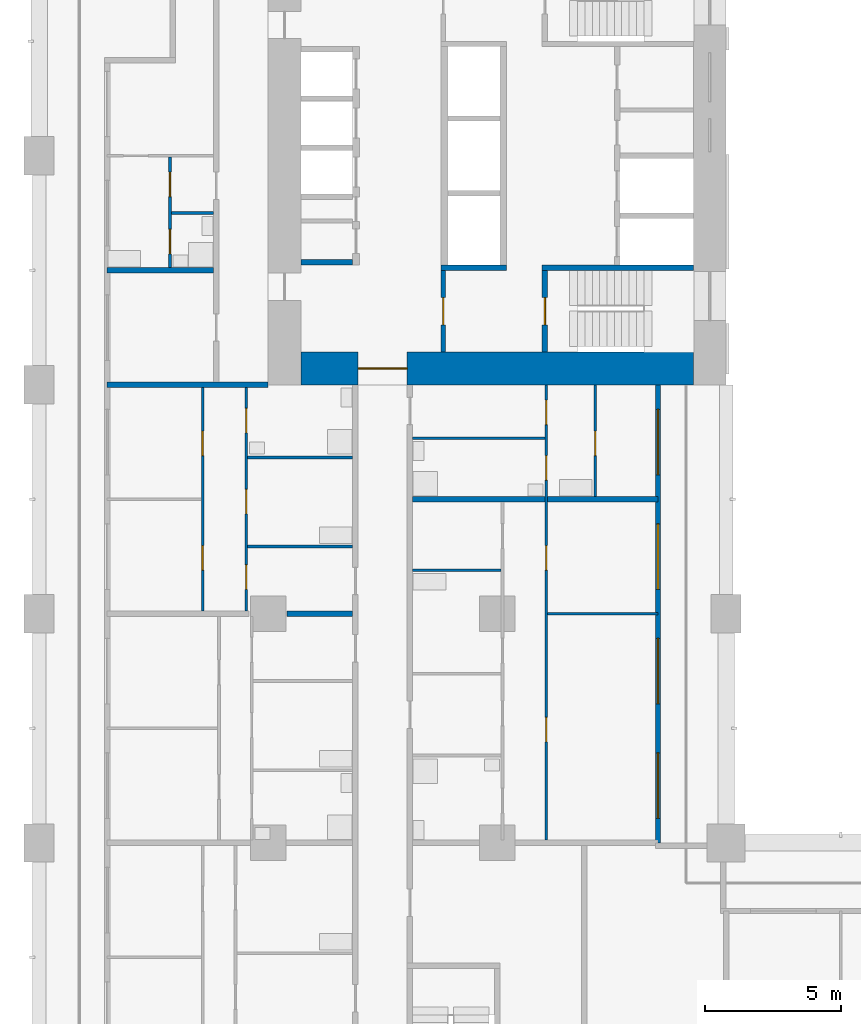
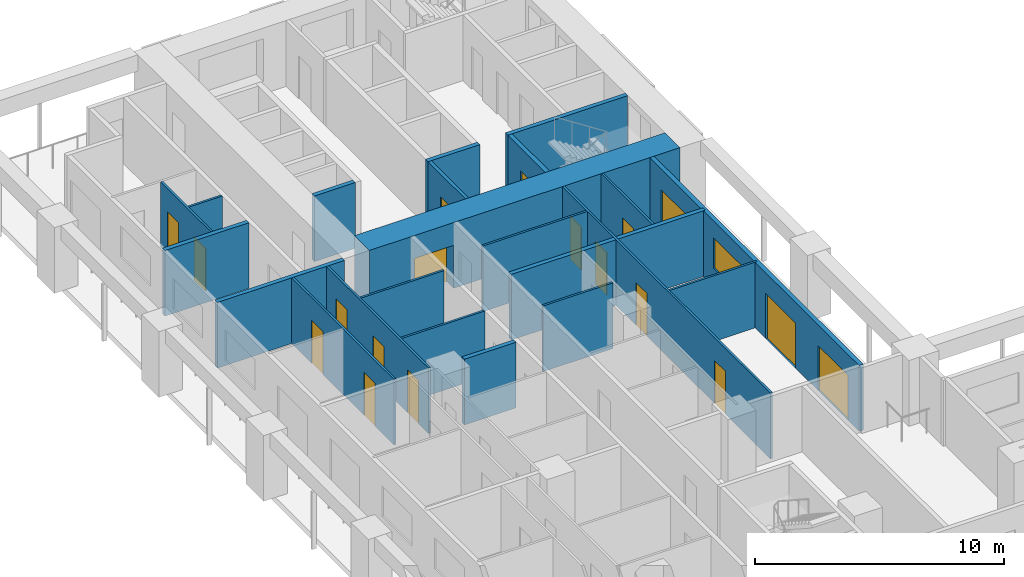
# One storey, part 8 of 19: 22 walls, 18 doors, 1 window, 19 openings.
"""IFC4 building model written with IfcOpenShell, lengths in metres."""

from ifc_helpers import new_model, si_unit, direction, frame, frame_2d, origin, place, context, subcontext, project, spatial, rectangle, extrude, material, layer, layer_set, type_object, element, fill, save


model = new_model("IFC4")

# Units and contexts
model_context = context("Model", 3, precision=1e-05, world=origin(), true_north=direction((0.0, 1.0)))
body_context = subcontext(model_context, "Body", "Model", "MODEL_VIEW")
ifc_project = project(units=[si_unit("LENGTHUNIT", "METRE"), si_unit("AREAUNIT", "SQUARE_METRE"), si_unit("VOLUMEUNIT", "CUBIC_METRE"), si_unit("PLANEANGLEUNIT", "RADIAN"), si_unit("MASSUNIT", "GRAM", prefix="KILO")], contexts=[model_context])

# Site, building, storey
site_placement = place(None, origin())
site = spatial("IfcSite", under=ifc_project, at=site_placement, CompositionType="ELEMENT")
building_placement = place(site_placement, origin())
building = spatial("IfcBuilding", under=site, at=building_placement, Name="Vermilion Gate Residences", CompositionType="ELEMENT")
storey_placement = place(building_placement, frame((0.0, 0.0, 46.199951171875)))
storey = spatial("IfcBuildingStorey", under=building, at=storey_placement, Name="L10", CompositionType="ELEMENT", Elevation=46.199951171875)

# Wall, opening, door
ifc_material_1 = material(Name="Masonry blockwork", Category="masonry")
ifc_layer_1 = layer(ifc_material_1, 0.14990234375)
ifc_layer_set_1 = layer_set([ifc_layer_1], Name="BLOCKWORK PARTITION 150 EI 120")
wall_type_1 = type_object("IfcWallType", Name="BLOCKWORK PARTITION 150 EI 120", PredefinedType="PARTITIONING", material=ifc_layer_set_1)
wall_1_placement = place(storey_placement, frame((14.824951171875, 46.199951171875, 0.0), z_axis=(0.0, 0.0, 1.0), x_axis=(0.0, -1.0, 0.0)))
wall_1 = element("IfcWall", 1, at=wall_1_placement, inside=storey, type_object=wall_type_1, Name="Core room partition B10-VE-S", PredefinedType="PARTITIONING", context=body_context, shape_type="SweptSolid", body=[
    extrude(rectangle(XDim=3.0, YDim=0.14990234375, at=frame_2d((1.5, 0.0))), origin(), (0.0, 0.0, 1.0), 3.219970703125),
])
opening_1_placement = place(wall_1_placement, frame((1.0, 0.0, 0.0)))
opening_1 = element("IfcOpeningElement", 2, at=opening_1_placement, cuts=wall_1, Name="Opening DK10115", PredefinedType="OPENING", context=body_context, shape_type="SweptSolid", body=[
    extrude(rectangle(XDim=1.0, YDim=2.10009765625, at=frame_2d((0.5, 1.050048828125))), frame((0.0, 0.0849609375, 0.0), z_axis=(0.0, -1.0, 0.0), x_axis=(1.0, 0.0, 0.0)), (0.0, 0.0, 1.0), 0.169921875),
])
ifc_material_2 = material(Name="Steel", Category="steel")
door_type_1 = type_object("IfcDoorType", Name="FIRE DOOR FD60 1000 X 2100", OperationType="SINGLE_SWING_LEFT", PredefinedType="DOOR", material=ifc_material_2)
door_1_placement = place(opening_1_placement, frame((1.0, 0.0, 0.0), z_axis=(0.0, 0.0, 1.0), x_axis=(-1.0, 0.0, 0.0)))
door_1 = element("IfcDoor", 3, at=door_1_placement, inside=storey, type_object=door_type_1, Name="Stair vestibule door B10", OperationType="SINGLE_SWING_LEFT", OverallHeight=2.10009765625, OverallWidth=1.0, PredefinedType="DOOR", context=body_context, shape_type="SweptSolid", body=[
    extrude(rectangle(XDim=1.0, YDim=2.10009765625, at=frame_2d((0.5, 1.050048828125))), frame((0.0, 0.02490234375, 0.0), z_axis=(0.0, -1.0, 0.0), x_axis=(1.0, 0.0, 0.0)), (0.0, 0.0, 1.0), 0.050048828125),
])
fill(opening_1, door_1)

# Wall, openings, doors, window
ifc_material_3 = material(Name="Insulated steel stud wall with terracotta rainscreen", Category="masonry")
ifc_layer_2 = layer(ifc_material_3, 0.199951171875)
ifc_layer_set_2 = layer_set([ifc_layer_2], Name="EXTERNAL WALL 200 TERRACOTTA RAINSCREEN")
wall_type_2 = type_object("IfcWallType", Name="EXTERNAL WALL 200 TERRACOTTA RAINSCREEN", PredefinedType="SOLIDWALL", material=ifc_layer_set_2)
wall_2_placement = place(storey_placement, frame((22.699951171875, 25.199951171875, 0.0), z_axis=(0.0, 0.0, 1.0), x_axis=(0.0, 1.0, 0.0)))
wall_2 = element("IfcWall", 4, at=wall_2_placement, inside=storey, type_object=wall_type_2, Name="External wall", PredefinedType="SOLIDWALL", context=body_context, shape_type="SweptSolid", body=[
    extrude(rectangle(XDim=16.800048828125, YDim=0.199951171875, at=frame_2d((8.39990234375, 0.0))), origin(), (0.0, 0.0, 1.0), 3.219970703125),
])
opening_2_placement = place(wall_2_placement, frame((0.89990234375, 0.0, 0.0)))
opening_2 = element("IfcOpeningElement", 5, at=opening_2_placement, cuts=wall_2, Name="Opening DE10037", PredefinedType="OPENING", context=body_context, shape_type="SweptSolid", body=[
    extrude(rectangle(XDim=2.39990234375, YDim=2.199951171875, at=frame_2d((1.199951171875, 1.10009765625))), frame((0.0, 0.10986328125, 0.0), z_axis=(0.0, -1.0, 0.0), x_axis=(1.0, 0.0, 0.0)), (0.0, 0.0, 1.0), 0.219970703125),
])
opening_3_placement = place(wall_2_placement, frame((5.10009765625, 0.0, 0.0)))
opening_3 = element("IfcOpeningElement", 6, at=opening_3_placement, cuts=wall_2, Name="Opening DE10038", PredefinedType="OPENING", context=body_context, shape_type="SweptSolid", body=[
    extrude(rectangle(XDim=2.39990234375, YDim=2.199951171875, at=frame_2d((1.199951171875, 1.10009765625))), frame((0.0, 0.10986328125, 0.0), z_axis=(0.0, -1.0, 0.0), x_axis=(1.0, 0.0, 0.0)), (0.0, 0.0, 1.0), 0.219970703125),
])
opening_4_placement = place(wall_2_placement, frame((9.300048828125, 0.0, 0.89990234375)))
opening_4 = element("IfcOpeningElement", 7, at=opening_4_placement, cuts=wall_2, Name="Opening WE10039", PredefinedType="OPENING", context=body_context, shape_type="SweptSolid", body=[
    extrude(rectangle(XDim=2.39990234375, YDim=1.5, at=frame_2d((1.199951171875, 0.75))), frame((0.0, 0.10986328125, 0.0), z_axis=(0.0, -1.0, 0.0), x_axis=(1.0, 0.0, 0.0)), (0.0, 0.0, 1.0), 0.219970703125),
])
opening_5_placement = place(wall_2_placement, frame((13.5, 0.0, 0.0)))
opening_5 = element("IfcOpeningElement", 8, at=opening_5_placement, cuts=wall_2, Name="Opening DE10040", PredefinedType="OPENING", context=body_context, shape_type="SweptSolid", body=[
    extrude(rectangle(XDim=2.39990234375, YDim=2.199951171875, at=frame_2d((1.199951171875, 1.10009765625))), frame((0.0, 0.10986328125, 0.0), z_axis=(0.0, -1.0, 0.0), x_axis=(1.0, 0.0, 0.0)), (0.0, 0.0, 1.0), 0.219970703125),
])
ifc_material_4 = material(Name="Aluminium and clear glass", Category="aluminium")
door_type_2 = type_object("IfcDoorType", Name="SLIDING GLAZED DOOR 2400 X 2200", OperationType="DOUBLE_DOOR_SLIDING", PredefinedType="DOOR", material=ifc_material_4)
door_2_placement = place(opening_2_placement, origin())
door_2 = element("IfcDoor", 9, at=door_2_placement, inside=storey, type_object=door_type_2, Name="Loggia sliding door", OperationType="DOUBLE_DOOR_SLIDING", OverallHeight=2.199951171875, OverallWidth=2.39990234375, PredefinedType="DOOR", context=body_context, shape_type="SweptSolid", body=[
    extrude(rectangle(XDim=2.39990234375, YDim=2.199951171875, at=frame_2d((1.199951171875, 1.10009765625))), frame((0.0, 0.02490234375, 0.0), z_axis=(0.0, -1.0, 0.0), x_axis=(1.0, 0.0, 0.0)), (0.0, 0.0, 1.0), 0.050048828125),
])
fill(opening_2, door_2)
door_3_placement = place(opening_3_placement, origin())
door_3 = element("IfcDoor", 10, at=door_3_placement, inside=storey, type_object=door_type_2, Name="Loggia sliding door", OperationType="DOUBLE_DOOR_SLIDING", OverallHeight=2.199951171875, OverallWidth=2.39990234375, PredefinedType="DOOR", context=body_context, shape_type="SweptSolid", body=[
    extrude(rectangle(XDim=2.39990234375, YDim=2.199951171875, at=frame_2d((1.199951171875, 1.10009765625))), frame((0.0, 0.02490234375, 0.0), z_axis=(0.0, -1.0, 0.0), x_axis=(1.0, 0.0, 0.0)), (0.0, 0.0, 1.0), 0.050048828125),
])
fill(opening_3, door_3)
door_4_placement = place(opening_5_placement, origin())
door_4 = element("IfcDoor", 11, at=door_4_placement, inside=storey, type_object=door_type_2, Name="Loggia sliding door", OperationType="DOUBLE_DOOR_SLIDING", OverallHeight=2.199951171875, OverallWidth=2.39990234375, PredefinedType="DOOR", context=body_context, shape_type="SweptSolid", body=[
    extrude(rectangle(XDim=2.39990234375, YDim=2.199951171875, at=frame_2d((1.199951171875, 1.10009765625))), frame((0.0, 0.02490234375, 0.0), z_axis=(0.0, -1.0, 0.0), x_axis=(1.0, 0.0, 0.0)), (0.0, 0.0, 1.0), 0.050048828125),
])
fill(opening_5, door_4)
ifc_material_5 = material(Name="Aluminium and clear glass", Category="aluminium")
window_type = type_object("IfcWindowType", Name="WINDOW 2400 X 1500", PartitioningType="SINGLE_PANEL", PredefinedType="WINDOW", material=ifc_material_5)
window_placement = place(opening_4_placement, origin())
window = element("IfcWindow", 12, at=window_placement, inside=storey, type_object=window_type, Name="Window", OverallHeight=1.5, OverallWidth=2.39990234375, PartitioningType="SINGLE_PANEL", PredefinedType="WINDOW", context=body_context, shape_type="SweptSolid", body=[
    extrude(rectangle(XDim=2.39990234375, YDim=1.5, at=frame_2d((1.199951171875, 0.75))), frame((0.0, 0.030029296875, 0.0), z_axis=(0.0, -1.0, 0.0), x_axis=(1.0, 0.0, 0.0)), (0.0, 0.0, 1.0), 0.06005859375),
])
fill(opening_4, window)

# Walls
ifc_material_6 = material(Name="Plasterboard on steel studs", Category="steel")
ifc_layer_3 = layer(ifc_material_6, 0.10009765625)
ifc_layer_set_3 = layer_set([ifc_layer_3], Name="PARTITION 100")
wall_type_3 = type_object("IfcWallType", Name="PARTITION 100", PredefinedType="PARTITIONING", material=ifc_layer_set_3)
wall_3_placement = place(storey_placement, frame((18.64990234375, 33.60009765625, 0.0), z_axis=(0.0, 0.0, 1.0), x_axis=(1.0, 0.0, 0.0)))
element("IfcWall", 13, at=wall_3_placement, inside=storey, type_object=wall_type_3, Name="Partition", PredefinedType="PARTITIONING", context=body_context, shape_type="SweptSolid", body=[
    extrude(rectangle(XDim=4.050048828125, YDim=0.10009765625, at=frame_2d((2.02490234375, 0.0))), origin(), (0.0, 0.0, 1.0), 3.219970703125),
])
wall_4_placement = place(storey_placement, frame((13.699951171875, 35.199951171875, 0.0), z_axis=(0.0, 0.0, 1.0), x_axis=(1.0, 0.0, 0.0)))
element("IfcWall", 14, at=wall_4_placement, inside=storey, type_object=wall_type_3, Name="Partition", PredefinedType="PARTITIONING", context=body_context, shape_type="SweptSolid", body=[
    extrude(rectangle(XDim=3.25, YDim=0.10009765625, at=frame_2d((1.625, 0.0))), origin(), (0.0, 0.0, 1.0), 3.219970703125),
])
for number, where, z_axis, x_axis, name in (
    (15, (7.64990234375, 36.06689453125, 0.0), (0.0, 0.0, 1.0), (1.0, 0.0, 0.0), "Partition"),
    (16, (7.64990234375, 39.3330078125, 0.0), (0.0, 0.0, 1.0), (1.0, 0.0, 0.0), "Partition"),
):
    element("IfcWall", number, at=place(storey_placement, frame(where, z_axis=z_axis, x_axis=x_axis)), inside=storey, type_object=wall_type_3, Name=name, PredefinedType="PARTITIONING", context=body_context, shape_type="SweptSolid", body=[
        extrude(rectangle(XDim=3.85009765625, YDim=0.10009765625, at=frame_2d((1.925048828125, 0.0))), origin(), (0.0, 0.0, 1.0), 3.219970703125),
    ])
wall_5_placement = place(storey_placement, frame((13.699951171875, 40.0400390625, 0.0), z_axis=(0.0, 0.0, 1.0), x_axis=(1.0, 0.0, 0.0)))
element("IfcWall", 17, at=wall_5_placement, inside=storey, type_object=wall_type_3, Name="Partition", PredefinedType="PARTITIONING", context=body_context, shape_type="SweptSolid", body=[
    extrude(rectangle(XDim=4.85009765625, YDim=0.10009765625, at=frame_2d((2.425048828125, 0.0))), origin(), (0.0, 0.0, 1.0), 3.219970703125),
])
wall_6_placement = place(storey_placement, frame((4.85009765625, 48.300048828125, 0.0), z_axis=(0.0, 0.0, 1.0), x_axis=(1.0, 0.0, 0.0)))
element("IfcWall", 18, at=wall_6_placement, inside=storey, type_object=wall_type_3, Name="Partition", PredefinedType="PARTITIONING", context=body_context, shape_type="SweptSolid", body=[
    extrude(rectangle(XDim=1.5498046875, YDim=0.10009765625, at=frame_2d((0.77490234375, 0.0))), origin(), (0.0, 0.0, 1.0), 3.219970703125),
])

# Wall, openings, doors
wall_7_placement = place(storey_placement, frame((4.800048828125, 46.300048828125, 0.0), z_axis=(0.0, 0.0, 1.0), x_axis=(0.0, 1.0, 0.0)))
wall_7 = element("IfcWall", 19, at=wall_7_placement, inside=storey, type_object=wall_type_3, Name="Partition", PredefinedType="PARTITIONING", context=body_context, shape_type="SweptSolid", body=[
    extrude(rectangle(XDim=4.050048828125, YDim=0.10009765625, at=frame_2d((2.02490234375, 0.0))), origin(), (0.0, 0.0, 1.0), 3.219970703125),
])
opening_6_placement = place(wall_7_placement, frame((2.60009765625, 0.0, 0.0)))
opening_6 = element("IfcOpeningElement", 20, at=opening_6_placement, cuts=wall_7, Name="Opening DA10043", PredefinedType="OPENING", context=body_context, shape_type="SweptSolid", body=[
    extrude(rectangle(XDim=0.89990234375, YDim=2.10009765625, at=frame_2d((0.449951171875, 1.050048828125))), frame((0.0, 0.06005859375, 0.0), z_axis=(0.0, -1.0, 0.0), x_axis=(1.0, 0.0, 0.0)), (0.0, 0.0, 1.0), 0.1201171875),
])
opening_7_placement = place(wall_7_placement, frame((0.5, 0.0, 0.0)))
opening_7 = element("IfcOpeningElement", 21, at=opening_7_placement, cuts=wall_7, Name="Opening DA10044", PredefinedType="OPENING", context=body_context, shape_type="SweptSolid", body=[
    extrude(rectangle(XDim=0.89990234375, YDim=2.10009765625, at=frame_2d((0.449951171875, 1.050048828125))), frame((0.0, 0.06005859375, 0.0), z_axis=(0.0, -1.0, 0.0), x_axis=(1.0, 0.0, 0.0)), (0.0, 0.0, 1.0), 0.1201171875),
])
ifc_material_7 = material(Name="Timber", Category="wood")
door_type_3 = type_object("IfcDoorType", Name="INTERIOR DOOR 900 X 2100", OperationType="SINGLE_SWING_LEFT", PredefinedType="DOOR", material=ifc_material_7)
door_5_placement = place(opening_6_placement, origin())
door_5 = element("IfcDoor", 22, at=door_5_placement, inside=storey, type_object=door_type_3, Name="Interior door", OperationType="SINGLE_SWING_RIGHT", OverallHeight=2.10009765625, OverallWidth=0.89990234375, PredefinedType="DOOR", context=body_context, shape_type="SweptSolid", body=[
    extrude(rectangle(XDim=0.89990234375, YDim=2.10009765625, at=frame_2d((0.449951171875, 1.050048828125))), frame((0.0, 0.02490234375, 0.0), z_axis=(0.0, -1.0, 0.0), x_axis=(1.0, 0.0, 0.0)), (0.0, 0.0, 1.0), 0.050048828125),
])
fill(opening_6, door_5)
door_6_placement = place(opening_7_placement, frame((0.89990234375, 0.0, 0.0), z_axis=(0.0, 0.0, 1.0), x_axis=(-1.0, 0.0, 0.0)))
door_6 = element("IfcDoor", 23, at=door_6_placement, inside=storey, type_object=door_type_3, Name="Interior door", OperationType="SINGLE_SWING_RIGHT", OverallHeight=2.10009765625, OverallWidth=0.89990234375, PredefinedType="DOOR", context=body_context, shape_type="SweptSolid", body=[
    extrude(rectangle(XDim=0.89990234375, YDim=2.10009765625, at=frame_2d((0.449951171875, 1.050048828125))), frame((0.0, 0.02490234375, 0.0), z_axis=(0.0, -1.0, 0.0), x_axis=(1.0, 0.0, 0.0)), (0.0, 0.0, 1.0), 0.050048828125),
])
fill(opening_7, door_6)

wall_8_placement = place(storey_placement, frame((6.0, 33.699951171875, 0.0), z_axis=(0.0, 0.0, 1.0), x_axis=(0.0, 1.0, 0.0)))
wall_8 = element("IfcWall", 24, at=wall_8_placement, inside=storey, type_object=wall_type_3, Name="Partition", PredefinedType="PARTITIONING", context=body_context, shape_type="SweptSolid", body=[
    extrude(rectangle(XDim=8.199951171875, YDim=0.10009765625, at=frame_2d((4.10009765625, 0.0))), origin(), (0.0, 0.0, 1.0), 3.219970703125),
])
opening_8_placement = place(wall_8_placement, frame((1.5, 0.0, 0.0)))
opening_8 = element("IfcOpeningElement", 25, at=opening_8_placement, cuts=wall_8, Name="Opening DA10047", PredefinedType="OPENING", context=body_context, shape_type="SweptSolid", body=[
    extrude(rectangle(XDim=0.89990234375, YDim=2.10009765625, at=frame_2d((0.449951171875, 1.050048828125))), frame((0.0, 0.06005859375, 0.0), z_axis=(0.0, -1.0, 0.0), x_axis=(1.0, 0.0, 0.0)), (0.0, 0.0, 1.0), 0.1201171875),
])
opening_9_placement = place(wall_8_placement, frame((5.699951171875, 0.0, 0.0)))
opening_9 = element("IfcOpeningElement", 26, at=opening_9_placement, cuts=wall_8, Name="Opening DA10048", PredefinedType="OPENING", context=body_context, shape_type="SweptSolid", body=[
    extrude(rectangle(XDim=0.89990234375, YDim=2.10009765625, at=frame_2d((0.449951171875, 1.050048828125))), frame((0.0, 0.06005859375, 0.0), z_axis=(0.0, -1.0, 0.0), x_axis=(1.0, 0.0, 0.0)), (0.0, 0.0, 1.0), 0.1201171875),
])
door_7_placement = place(opening_8_placement, origin())
door_7 = element("IfcDoor", 27, at=door_7_placement, inside=storey, type_object=door_type_3, Name="Interior door", OperationType="SINGLE_SWING_LEFT", OverallHeight=2.10009765625, OverallWidth=0.89990234375, PredefinedType="DOOR", context=body_context, shape_type="SweptSolid", body=[
    extrude(rectangle(XDim=0.89990234375, YDim=2.10009765625, at=frame_2d((0.449951171875, 1.050048828125))), frame((0.0, 0.02490234375, 0.0), z_axis=(0.0, -1.0, 0.0), x_axis=(1.0, 0.0, 0.0)), (0.0, 0.0, 1.0), 0.050048828125),
])
fill(opening_8, door_7)
door_8_placement = place(opening_9_placement, origin())
door_8 = element("IfcDoor", 28, at=door_8_placement, inside=storey, type_object=door_type_3, Name="Interior door", OperationType="SINGLE_SWING_LEFT", OverallHeight=2.10009765625, OverallWidth=0.89990234375, PredefinedType="DOOR", context=body_context, shape_type="SweptSolid", body=[
    extrude(rectangle(XDim=0.89990234375, YDim=2.10009765625, at=frame_2d((0.449951171875, 1.050048828125))), frame((0.0, 0.02490234375, 0.0), z_axis=(0.0, -1.0, 0.0), x_axis=(1.0, 0.0, 0.0)), (0.0, 0.0, 1.0), 0.050048828125),
])
fill(opening_9, door_8)

wall_9_placement = place(storey_placement, frame((7.60009765625, 33.699951171875, 0.0), z_axis=(0.0, 0.0, 1.0), x_axis=(0.0, 1.0, 0.0)))
wall_9 = element("IfcWall", 29, at=wall_9_placement, inside=storey, type_object=wall_type_3, Name="Partition", PredefinedType="PARTITIONING", context=body_context, shape_type="SweptSolid", body=[
    extrude(rectangle(XDim=8.199951171875, YDim=0.10009765625, at=frame_2d((4.10009765625, 0.0))), origin(), (0.0, 0.0, 1.0), 3.219970703125),
])
opening_10_placement = place(wall_9_placement, frame((0.800048828125, 0.0, 0.0)))
opening_10 = element("IfcOpeningElement", 30, at=opening_10_placement, cuts=wall_9, Name="Opening DA10057", PredefinedType="OPENING", context=body_context, shape_type="SweptSolid", body=[
    extrude(rectangle(XDim=0.89990234375, YDim=2.10009765625, at=frame_2d((0.449951171875, 1.050048828125))), frame((0.0, 0.06005859375, 0.0), z_axis=(0.0, -1.0, 0.0), x_axis=(1.0, 0.0, 0.0)), (0.0, 0.0, 1.0), 0.1201171875),
])
opening_11_placement = place(wall_9_placement, frame((3.56689453125, 0.0, 0.0)))
opening_11 = element("IfcOpeningElement", 31, at=opening_11_placement, cuts=wall_9, Name="Opening DA10058", PredefinedType="OPENING", context=body_context, shape_type="SweptSolid", body=[
    extrude(rectangle(XDim=0.89990234375, YDim=2.10009765625, at=frame_2d((0.449951171875, 1.050048828125))), frame((0.0, 0.06005859375, 0.0), z_axis=(0.0, -1.0, 0.0), x_axis=(1.0, 0.0, 0.0)), (0.0, 0.0, 1.0), 0.1201171875),
])
opening_12_placement = place(wall_9_placement, frame((6.532958984375, 0.0, 0.0)))
opening_12 = element("IfcOpeningElement", 32, at=opening_12_placement, cuts=wall_9, Name="Opening DA10059", PredefinedType="OPENING", context=body_context, shape_type="SweptSolid", body=[
    extrude(rectangle(XDim=0.89990234375, YDim=2.10009765625, at=frame_2d((0.449951171875, 1.050048828125))), frame((0.0, 0.06005859375, 0.0), z_axis=(0.0, -1.0, 0.0), x_axis=(1.0, 0.0, 0.0)), (0.0, 0.0, 1.0), 0.1201171875),
])
door_9_placement = place(opening_10_placement, frame((0.89990234375, 0.0, 0.0), z_axis=(0.0, 0.0, 1.0), x_axis=(-1.0, 0.0, 0.0)))
door_9 = element("IfcDoor", 33, at=door_9_placement, inside=storey, type_object=door_type_3, Name="Interior door", OperationType="SINGLE_SWING_RIGHT", OverallHeight=2.10009765625, OverallWidth=0.89990234375, PredefinedType="DOOR", context=body_context, shape_type="SweptSolid", body=[
    extrude(rectangle(XDim=0.89990234375, YDim=2.10009765625, at=frame_2d((0.449951171875, 1.050048828125))), frame((0.0, 0.02490234375, 0.0), z_axis=(0.0, -1.0, 0.0), x_axis=(1.0, 0.0, 0.0)), (0.0, 0.0, 1.0), 0.050048828125),
])
fill(opening_10, door_9)
door_10_placement = place(opening_11_placement, frame((0.89990234375, 0.0, 0.0), z_axis=(0.0, 0.0, 1.0), x_axis=(-1.0, 0.0, 0.0)))
door_10 = element("IfcDoor", 34, at=door_10_placement, inside=storey, type_object=door_type_3, Name="Interior door", OperationType="SINGLE_SWING_LEFT", OverallHeight=2.10009765625, OverallWidth=0.89990234375, PredefinedType="DOOR", context=body_context, shape_type="SweptSolid", body=[
    extrude(rectangle(XDim=0.89990234375, YDim=2.10009765625, at=frame_2d((0.449951171875, 1.050048828125))), frame((0.0, 0.02490234375, 0.0), z_axis=(0.0, -1.0, 0.0), x_axis=(1.0, 0.0, 0.0)), (0.0, 0.0, 1.0), 0.050048828125),
])
fill(opening_11, door_10)
door_11_placement = place(opening_12_placement, frame((0.89990234375, 0.0, 0.0), z_axis=(0.0, 0.0, 1.0), x_axis=(-1.0, 0.0, 0.0)))
door_11 = element("IfcDoor", 35, at=door_11_placement, inside=storey, type_object=door_type_3, Name="Interior door", OperationType="SINGLE_SWING_RIGHT", OverallHeight=2.10009765625, OverallWidth=0.89990234375, PredefinedType="DOOR", context=body_context, shape_type="SweptSolid", body=[
    extrude(rectangle(XDim=0.89990234375, YDim=2.10009765625, at=frame_2d((0.449951171875, 1.050048828125))), frame((0.0, 0.02490234375, 0.0), z_axis=(0.0, -1.0, 0.0), x_axis=(1.0, 0.0, 0.0)), (0.0, 0.0, 1.0), 0.050048828125),
])
fill(opening_12, door_11)

wall_10_placement = place(storey_placement, frame((18.60009765625, 25.300048828125, 0.0), z_axis=(0.0, 0.0, 1.0), x_axis=(0.0, 1.0, 0.0)))
wall_10 = element("IfcWall", 36, at=wall_10_placement, inside=storey, type_object=wall_type_3, Name="Partition", PredefinedType="PARTITIONING", context=body_context, shape_type="SweptSolid", body=[
    extrude(rectangle(XDim=16.699951171875, YDim=0.10009765625, at=frame_2d((8.35009765625, 0.0))), origin(), (0.0, 0.0, 1.0), 3.219970703125),
])
opening_13_placement = place(wall_10_placement, frame((3.60009765625, 0.0, 0.0)))
opening_13 = element("IfcOpeningElement", 37, at=opening_13_placement, cuts=wall_10, Name="Opening DA10075", PredefinedType="OPENING", context=body_context, shape_type="SweptSolid", body=[
    extrude(rectangle(XDim=0.89990234375, YDim=2.10009765625, at=frame_2d((0.449951171875, 1.050048828125))), frame((0.0, 0.06005859375, 0.0), z_axis=(0.0, -1.0, 0.0), x_axis=(1.0, 0.0, 0.0)), (0.0, 0.0, 1.0), 0.1201171875),
])
opening_14_placement = place(wall_10_placement, frame((9.89990234375, 0.0, 0.0)))
opening_14 = element("IfcOpeningElement", 38, at=opening_14_placement, cuts=wall_10, Name="Opening DA10076", PredefinedType="OPENING", context=body_context, shape_type="SweptSolid", body=[
    extrude(rectangle(XDim=0.89990234375, YDim=2.10009765625, at=frame_2d((0.449951171875, 1.050048828125))), frame((0.0, 0.06005859375, 0.0), z_axis=(0.0, -1.0, 0.0), x_axis=(1.0, 0.0, 0.0)), (0.0, 0.0, 1.0), 0.1201171875),
])
opening_15_placement = place(wall_10_placement, frame((15.239990234375, 0.0, 0.0)))
opening_15 = element("IfcOpeningElement", 39, at=opening_15_placement, cuts=wall_10, Name="Opening DA10077", PredefinedType="OPENING", context=body_context, shape_type="SweptSolid", body=[
    extrude(rectangle(XDim=0.89990234375, YDim=2.10009765625, at=frame_2d((0.449951171875, 1.050048828125))), frame((0.0, 0.06005859375, 0.0), z_axis=(0.0, -1.0, 0.0), x_axis=(1.0, 0.0, 0.0)), (0.0, 0.0, 1.0), 0.1201171875),
])
opening_16_placement = place(wall_10_placement, frame((13.199951171875, 0.0, 0.0)))
opening_16 = element("IfcOpeningElement", 40, at=opening_16_placement, cuts=wall_10, Name="Opening DA10078", PredefinedType="OPENING", context=body_context, shape_type="SweptSolid", body=[
    extrude(rectangle(XDim=0.89990234375, YDim=2.10009765625, at=frame_2d((0.449951171875, 1.050048828125))), frame((0.0, 0.06005859375, 0.0), z_axis=(0.0, -1.0, 0.0), x_axis=(1.0, 0.0, 0.0)), (0.0, 0.0, 1.0), 0.1201171875),
])
door_12_placement = place(opening_13_placement, frame((0.89990234375, 0.0, 0.0), z_axis=(0.0, 0.0, 1.0), x_axis=(-1.0, 0.0, 0.0)))
door_12 = element("IfcDoor", 41, at=door_12_placement, inside=storey, type_object=door_type_3, Name="Interior door", OperationType="SINGLE_SWING_RIGHT", OverallHeight=2.10009765625, OverallWidth=0.89990234375, PredefinedType="DOOR", context=body_context, shape_type="SweptSolid", body=[
    extrude(rectangle(XDim=0.89990234375, YDim=2.10009765625, at=frame_2d((0.449951171875, 1.050048828125))), frame((0.0, 0.02490234375, 0.0), z_axis=(0.0, -1.0, 0.0), x_axis=(1.0, 0.0, 0.0)), (0.0, 0.0, 1.0), 0.050048828125),
])
fill(opening_13, door_12)
door_13_placement = place(opening_14_placement, frame((0.89990234375, 0.0, 0.0), z_axis=(0.0, 0.0, 1.0), x_axis=(-1.0, 0.0, 0.0)))
door_13 = element("IfcDoor", 42, at=door_13_placement, inside=storey, type_object=door_type_3, Name="Interior door", OperationType="SINGLE_SWING_RIGHT", OverallHeight=2.10009765625, OverallWidth=0.89990234375, PredefinedType="DOOR", context=body_context, shape_type="SweptSolid", body=[
    extrude(rectangle(XDim=0.89990234375, YDim=2.10009765625, at=frame_2d((0.449951171875, 1.050048828125))), frame((0.0, 0.02490234375, 0.0), z_axis=(0.0, -1.0, 0.0), x_axis=(1.0, 0.0, 0.0)), (0.0, 0.0, 1.0), 0.050048828125),
])
fill(opening_14, door_13)
door_14_placement = place(opening_15_placement, frame((0.89990234375, 0.0, 0.0), z_axis=(0.0, 0.0, 1.0), x_axis=(-1.0, 0.0, 0.0)))
door_14 = element("IfcDoor", 43, at=door_14_placement, inside=storey, type_object=door_type_3, Name="Interior door", OperationType="SINGLE_SWING_LEFT", OverallHeight=2.10009765625, OverallWidth=0.89990234375, PredefinedType="DOOR", context=body_context, shape_type="SweptSolid", body=[
    extrude(rectangle(XDim=0.89990234375, YDim=2.10009765625, at=frame_2d((0.449951171875, 1.050048828125))), frame((0.0, 0.02490234375, 0.0), z_axis=(0.0, -1.0, 0.0), x_axis=(1.0, 0.0, 0.0)), (0.0, 0.0, 1.0), 0.050048828125),
])
fill(opening_15, door_14)
door_15_placement = place(opening_16_placement, frame((0.89990234375, 0.0, 0.0), z_axis=(0.0, 0.0, 1.0), x_axis=(-1.0, 0.0, 0.0)))
door_15 = element("IfcDoor", 44, at=door_15_placement, inside=storey, type_object=door_type_3, Name="Interior door", OperationType="SINGLE_SWING_RIGHT", OverallHeight=2.10009765625, OverallWidth=0.89990234375, PredefinedType="DOOR", context=body_context, shape_type="SweptSolid", body=[
    extrude(rectangle(XDim=0.89990234375, YDim=2.10009765625, at=frame_2d((0.449951171875, 1.050048828125))), frame((0.0, 0.02490234375, 0.0), z_axis=(0.0, -1.0, 0.0), x_axis=(1.0, 0.0, 0.0)), (0.0, 0.0, 1.0), 0.050048828125),
])
fill(opening_16, door_15)

# Wall, opening, door
wall_11_placement = place(storey_placement, frame((20.39990234375, 37.89990234375, 0.0), z_axis=(0.0, 0.0, 1.0), x_axis=(0.0, 1.0, 0.0)))
wall_11 = element("IfcWall", 45, at=wall_11_placement, inside=storey, type_object=wall_type_3, Name="Partition", PredefinedType="PARTITIONING", context=body_context, shape_type="SweptSolid", body=[
    extrude(rectangle(XDim=4.10009765625, YDim=0.10009765625, at=frame_2d((2.050048828125, 0.0))), origin(), (0.0, 0.0, 1.0), 3.219970703125),
])
opening_17_placement = place(wall_11_placement, frame((1.5, 0.0, 0.0)))
opening_17 = element("IfcOpeningElement", 46, at=opening_17_placement, cuts=wall_11, Name="Opening DA10079", PredefinedType="OPENING", context=body_context, shape_type="SweptSolid", body=[
    extrude(rectangle(XDim=0.89990234375, YDim=2.10009765625, at=frame_2d((0.449951171875, 1.050048828125))), frame((0.0, 0.06005859375, 0.0), z_axis=(0.0, -1.0, 0.0), x_axis=(1.0, 0.0, 0.0)), (0.0, 0.0, 1.0), 0.1201171875),
])
door_16_placement = place(opening_17_placement, origin())
door_16 = element("IfcDoor", 47, at=door_16_placement, inside=storey, type_object=door_type_3, Name="Interior door", OperationType="SINGLE_SWING_LEFT", OverallHeight=2.10009765625, OverallWidth=0.89990234375, PredefinedType="DOOR", context=body_context, shape_type="SweptSolid", body=[
    extrude(rectangle(XDim=0.89990234375, YDim=2.10009765625, at=frame_2d((0.449951171875, 1.050048828125))), frame((0.0, 0.02490234375, 0.0), z_axis=(0.0, -1.0, 0.0), x_axis=(1.0, 0.0, 0.0)), (0.0, 0.0, 1.0), 0.050048828125),
])
fill(opening_17, door_16)

# Walls
ifc_material_8 = material(Name="Fire-rated plasterboard on steel studs", Category="steel")
ifc_layer_4 = layer(ifc_material_8, 0.199951171875)
ifc_layer_set_4 = layer_set([ifc_layer_4], Name="PARTY WALL 200 EI 120")
wall_type_4 = type_object("IfcWallType", Name="PARTY WALL 200 EI 120", PredefinedType="PARTITIONING", material=ifc_layer_set_4)
wall_12_placement = place(storey_placement, frame((9.10009765625, 33.60009765625, 0.0), z_axis=(0.0, 0.0, 1.0), x_axis=(1.0, 0.0, 0.0)))
element("IfcWall", 48, at=wall_12_placement, inside=storey, type_object=wall_type_4, Name="Party and corridor wall", PredefinedType="PARTITIONING", context=body_context, shape_type="SweptSolid", body=[
    extrude(rectangle(XDim=2.39990234375, YDim=0.199951171875, at=frame_2d((1.199951171875, 0.0))), origin(), (0.0, 0.0, 1.0), 3.219970703125),
])
wall_13_placement = place(storey_placement, frame((13.699951171875, 37.800048828125, 0.0), z_axis=(0.0, 0.0, 1.0), x_axis=(1.0, 0.0, 0.0)))
element("IfcWall", 49, at=wall_13_placement, inside=storey, type_object=wall_type_4, Name="Party and corridor wall", PredefinedType="PARTITIONING", context=body_context, shape_type="SweptSolid", body=[
    extrude(rectangle(XDim=9.0, YDim=0.199951171875, at=frame_2d((4.5, 0.0))), origin(), (0.0, 0.0, 1.0), 3.219970703125),
])
wall_14_placement = place(storey_placement, frame((2.5, 42.0, 0.0), z_axis=(0.0, 0.0, 1.0), x_axis=(1.0, 0.0, 0.0)))
element("IfcWall", 50, at=wall_14_placement, inside=storey, type_object=wall_type_4, Name="Party and corridor wall", PredefinedType="PARTITIONING", context=body_context, shape_type="SweptSolid", body=[
    extrude(rectangle(XDim=5.89990234375, YDim=0.199951171875, at=frame_2d((2.949951171875, 0.0))), origin(), (0.0, 0.0, 1.0), 3.219970703125),
])
wall_15_placement = place(storey_placement, frame((2.5, 46.199951171875, 0.0), z_axis=(0.0, 0.0, 1.0), x_axis=(1.0, 0.0, 0.0)))
element("IfcWall", 51, at=wall_15_placement, inside=storey, type_object=wall_type_4, Name="Party and corridor wall", PredefinedType="PARTITIONING", context=body_context, shape_type="SweptSolid", body=[
    extrude(rectangle(XDim=3.89990234375, YDim=0.199951171875, at=frame_2d((1.949951171875, 0.0))), origin(), (0.0, 0.0, 1.0), 3.219970703125),
])
ifc_material_9 = material(Name="Concrete C60", Category="concrete")
ifc_layer_5 = layer(ifc_material_9, 0.199951171875)
ifc_layer_set_5 = layer_set([ifc_layer_5], Name="RC CORE INTERNAL WALL 200 C60")
wall_type_5 = type_object("IfcWallType", Name="RC CORE INTERNAL WALL 200 C60", PredefinedType="SHEAR", material=ifc_layer_set_5)
wall_16_placement = place(storey_placement, frame((9.60009765625, 46.5, 0.0), z_axis=(0.0, 0.0, 1.0), x_axis=(1.0, 0.0, 0.0)))
element("IfcWall", 52, at=wall_16_placement, inside=storey, type_object=wall_type_5, Name="Core internal wall B10-LR-DE", PredefinedType="SHEAR", context=body_context, shape_type="SweptSolid", body=[
    extrude(rectangle(XDim=1.89990234375, YDim=0.199951171875, at=frame_2d((0.949951171875, 0.0))), origin(), (0.0, 0.0, 1.0), 3.219970703125),
])
wall_17_placement = place(storey_placement, frame((14.75, 46.300048828125, 0.0), z_axis=(0.0, 0.0, 1.0), x_axis=(1.0, 0.0, 0.0)))
element("IfcWall", 53, at=wall_17_placement, inside=storey, type_object=wall_type_5, Name="Core internal wall B10-EDIV1", PredefinedType="SHEAR", context=body_context, shape_type="SweptSolid", body=[
    extrude(rectangle(XDim=2.39990234375, YDim=0.199951171875, at=frame_2d((1.199951171875, 0.0))), origin(), (0.0, 0.0, 1.0), 3.219970703125),
])
wall_18_placement = place(storey_placement, frame((18.449951171875, 46.300048828125, 0.0), z_axis=(0.0, 0.0, 1.0), x_axis=(1.0, 0.0, 0.0)))
element("IfcWall", 54, at=wall_18_placement, inside=storey, type_object=wall_type_5, Name="Core internal wall B10-EDIV2", PredefinedType="SHEAR", context=body_context, shape_type="SweptSolid", body=[
    extrude(rectangle(XDim=5.550048828125, YDim=0.199951171875, at=frame_2d((2.77490234375, 0.0))), origin(), (0.0, 0.0, 1.0), 3.219970703125),
])

# Wall, opening, door
wall_19_placement = place(storey_placement, frame((18.550048828125, 46.199951171875, 0.0), z_axis=(0.0, 0.0, 1.0), x_axis=(0.0, -1.0, 0.0)))
wall_19 = element("IfcWall", 55, at=wall_19_placement, inside=storey, type_object=wall_type_5, Name="Core internal wall B10-STE-S", PredefinedType="SHEAR", context=body_context, shape_type="SweptSolid", body=[
    extrude(rectangle(XDim=3.0, YDim=0.199951171875, at=frame_2d((1.5, 0.0))), origin(), (0.0, 0.0, 1.0), 3.219970703125),
])
opening_18_placement = place(wall_19_placement, frame((1.0, 0.0, 0.0)))
opening_18 = element("IfcOpeningElement", 56, at=opening_18_placement, cuts=wall_19, Name="Opening DK10116", PredefinedType="OPENING", context=body_context, shape_type="SweptSolid", body=[
    extrude(rectangle(XDim=1.0, YDim=2.10009765625, at=frame_2d((0.5, 1.050048828125))), frame((0.0, 0.10986328125, 0.0), z_axis=(0.0, -1.0, 0.0), x_axis=(1.0, 0.0, 0.0)), (0.0, 0.0, 1.0), 0.219970703125),
])
door_17_placement = place(opening_18_placement, origin())
door_17 = element("IfcDoor", 57, at=door_17_placement, inside=storey, type_object=door_type_1, Name="Stair door B10", OperationType="SINGLE_SWING_LEFT", OverallHeight=2.10009765625, OverallWidth=1.0, PredefinedType="DOOR", context=body_context, shape_type="SweptSolid", body=[
    extrude(rectangle(XDim=1.0, YDim=2.10009765625, at=frame_2d((0.5, 1.050048828125))), frame((0.0, 0.02490234375, 0.0), z_axis=(0.0, -1.0, 0.0), x_axis=(1.0, 0.0, 0.0)), (0.0, 0.0, 1.0), 0.050048828125),
])
fill(opening_18, door_17)

ifc_material_10 = material(Name="Concrete C80", Category="concrete")
ifc_layer_6 = layer(ifc_material_10, 1.199951171875)
ifc_layer_set_6 = layer_set([ifc_layer_6], Name="RC CORE WALL 1200 C80")
wall_type_6 = type_object("IfcWallType", Name="RC CORE WALL 1200 C80", PredefinedType="SHEAR", material=ifc_layer_set_6)
wall_20_placement = place(storey_placement, frame((9.60009765625, 42.60009765625, 0.0), z_axis=(0.0, 0.0, 1.0), x_axis=(1.0, 0.0, 0.0)))
wall_20 = element("IfcWall", 58, at=wall_20_placement, inside=storey, type_object=wall_type_6, Name="Core wall B10-OUT-BK", PredefinedType="SHEAR", context=body_context, shape_type="SweptSolid", body=[
    extrude(rectangle(XDim=14.39990234375, YDim=1.199951171875, at=frame_2d((7.199951171875, 0.0))), origin(), (0.0, 0.0, 1.0), 3.219970703125),
])
opening_19_placement = place(wall_20_placement, frame((2.10009765625, 0.0, 0.0)))
opening_19 = element("IfcOpeningElement", 59, at=opening_19_placement, cuts=wall_20, Name="Opening DK10103", PredefinedType="OPENING", context=body_context, shape_type="SweptSolid", body=[
    extrude(rectangle(XDim=1.800048828125, YDim=2.10009765625, at=frame_2d((0.89990234375, 1.050048828125))), frame((0.0, 0.60986328125, 0.0), z_axis=(0.0, -1.0, 0.0), x_axis=(1.0, 0.0, 0.0)), (0.0, 0.0, 1.0), 1.219970703125),
])
ifc_material_11 = material(Name="Steel", Category="steel")
door_type_4 = type_object("IfcDoorType", Name="CORE LOBBY DOOR FD60 1800 X 2100", OperationType="DOUBLE_DOOR_SINGLE_SWING", PredefinedType="DOOR", material=ifc_material_11)
door_18_placement = place(opening_19_placement, origin())
door_18 = element("IfcDoor", 60, at=door_18_placement, inside=storey, type_object=door_type_4, Name="Core lobby door B10", OperationType="DOUBLE_DOOR_SINGLE_SWING", OverallHeight=2.10009765625, OverallWidth=1.800048828125, PredefinedType="DOOR", context=body_context, shape_type="SweptSolid", body=[
    extrude(rectangle(XDim=1.800048828125, YDim=2.10009765625, at=frame_2d((0.89990234375, 1.050048828125))), frame((0.0, 0.02490234375, 0.0), z_axis=(0.0, -1.0, 0.0), x_axis=(1.0, 0.0, 0.0)), (0.0, 0.0, 1.0), 0.050048828125),
])
fill(opening_19, door_18)

save(model, "model.ifc")
